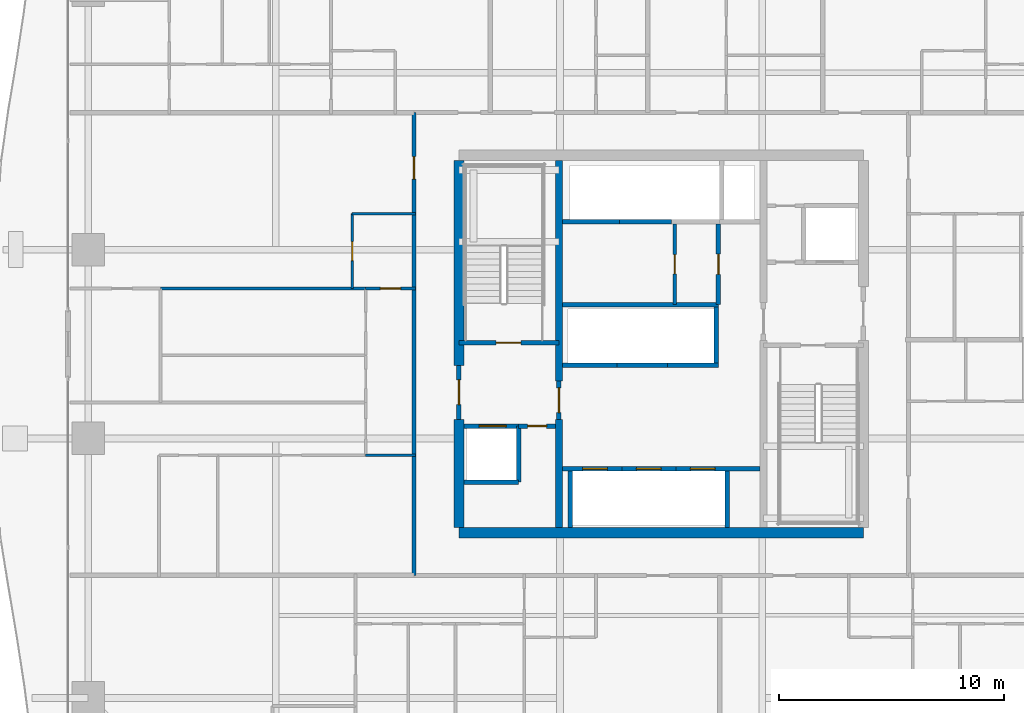
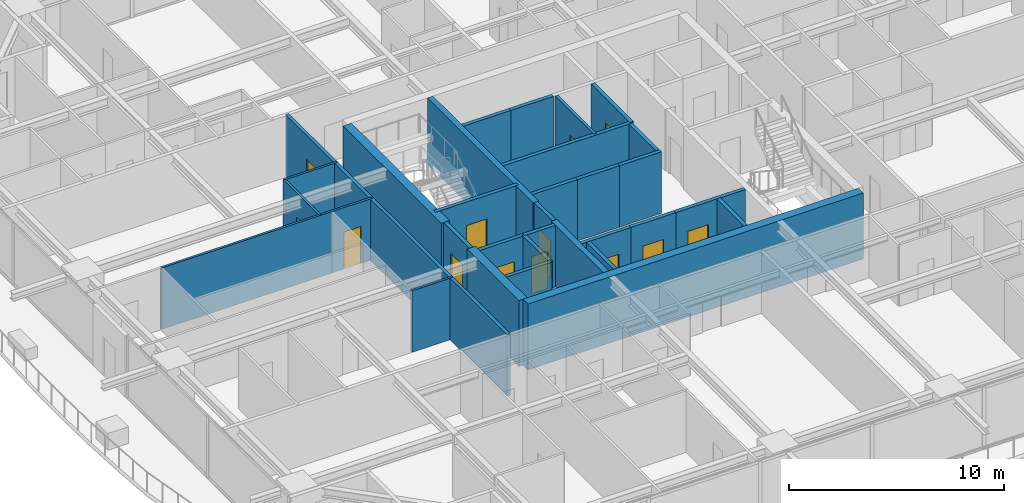
# One storey, part 23 of 34: 32 walls, 13 doors, 13 openings.
"""IFC4 building model written with IfcOpenShell, lengths in metres."""

from ifc_helpers import new_model, si_unit, direction, frame, frame_2d, origin, place, context, subcontext, project, spatial, rectangle, extrude, source, transform, mapped, material, layer, layer_set, type_object, element, fill, save


model = new_model("IFC4")

# Units and contexts
model_context = context("Model", 3, precision=1e-05, world=origin(), true_north=direction((0.0, 1.0)))
body_context = subcontext(model_context, "Body", "Model", "MODEL_VIEW")
ifc_project = project(units=[si_unit("LENGTHUNIT", "METRE"), si_unit("AREAUNIT", "SQUARE_METRE"), si_unit("VOLUMEUNIT", "CUBIC_METRE"), si_unit("PLANEANGLEUNIT", "RADIAN"), si_unit("MASSUNIT", "GRAM", prefix="KILO")], contexts=[model_context])

# Site, building, storey
site_placement = place(None, origin())
site = spatial("IfcSite", under=ifc_project, at=site_placement, CompositionType="ELEMENT")
building_placement = place(site_placement, origin())
building = spatial("IfcBuilding", under=site, at=building_placement, Name="Serunith Strait Residences", CompositionType="ELEMENT")
storey_placement = place(building_placement, frame((0.0, 0.0, 101.699951171875)))
storey = spatial("IfcBuildingStorey", under=building, at=storey_placement, Name="L25", CompositionType="ELEMENT", Elevation=101.699951171875)

# Wall, opening, door
ifc_material_1 = material(Name="Fire-rated masonry service closet wall", Category="masonry")
ifc_layer_1 = layer(ifc_material_1, 0.14990234375, Name="Fire-rated masonry service closet wall")
ifc_layer_set_1 = layer_set([ifc_layer_1], Name="Fire-rated masonry service closet wall")
wall_type_1 = type_object("IfcWallType", Name="IW-BOH-150", PredefinedType="PARTITIONING", material=ifc_layer_set_1)
wall_1_placement = place(storey_placement, frame((33.0, 26.949951171875, 0.0), z_axis=(0.0, 0.0, 1.0), x_axis=(0.0, 1.0, 0.0)))
wall_1 = element("IfcWall", 1, at=wall_1_placement, inside=storey, type_object=wall_type_1, Name="L25 Partition Wall 014", PredefinedType="PARTITIONING", context=body_context, shape_type="SweptSolid", body=[
    extrude(rectangle(XDim=3.60009765625, YDim=0.14990234375, at=frame_2d((1.800048828125, 0.0))), origin(), (0.0, 0.0, 1.0), 3.489990234375),
])
opening_1_placement = place(wall_1_placement, frame((1.375, 0.0, 0.0)))
opening_1 = element("IfcOpeningElement", 2, at=opening_1_placement, cuts=wall_1, Name="Opening FD-850", PredefinedType="OPENING", context=body_context, shape_type="SweptSolid", body=[
    extrude(rectangle(XDim=0.85009765625, YDim=2.10009765625, at=frame_2d((0.425048828125, 1.050048828125))), frame((0.0, 0.0849609375, 0.0), z_axis=(0.0, -1.0, 0.0), x_axis=(1.0, 0.0, 0.0)), (0.0, 0.0, 1.0), 0.169921875),
])
ifc_material_2 = material(Name="Powder-coated steel service closet door", Category="steel")
door_type_1 = type_object("IfcDoorType", Name="FD-BOH-850", OperationType="NOTDEFINED", PredefinedType="DOOR", material=ifc_material_2)
shared_shape_1 = source(origin(), body_context, "Body", "SweptSolid", [
    extrude(rectangle(XDim=0.85009765625, YDim=2.10009765625, at=frame_2d((0.425048828125, 1.050048828125))), frame((0.0, 0.02490234375, 0.0), z_axis=(0.0, -1.0, 0.0), x_axis=(1.0, 0.0, 0.0)), (0.0, 0.0, 1.0), 0.050048828125),
])
door_1_placement = place(opening_1_placement, origin())
door_1 = element("IfcDoor", 3, at=door_1_placement, inside=storey, type_object=door_type_1, Name="L25 LV Switchgear Door", OperationType="SINGLE_SWING_RIGHT", OverallHeight=2.10009765625, OverallWidth=0.85009765625, PredefinedType="DOOR", context=body_context, shape_type="MappedRepresentation", body=[
    mapped(shared_shape_1, transform((0.0, 0.0, 0.0), scale=1.0)),
])
fill(opening_1, door_1)

ifc_material_3 = material(Name="Fire-rated acoustic gypsum partition")
ifc_layer_2 = layer(ifc_material_3, 0.179931640625, Name="Fire-rated acoustic gypsum partition")
ifc_layer_set_2 = layer_set([ifc_layer_2], Name="Fire-rated acoustic gypsum partition")
wall_type_2 = type_object("IfcWallType", Name="IW-CORR-180", PredefinedType="PARTITIONING", material=ifc_layer_set_2)
wall_2_placement = place(storey_placement, frame((21.39990234375, 14.89990234375, 0.0), z_axis=(0.0, 0.0, 1.0), x_axis=(0.0, 1.0, 0.0)))
wall_2 = element("IfcWall", 4, at=wall_2_placement, inside=storey, type_object=wall_type_2, Name="L25 Partition Wall 026", PredefinedType="PARTITIONING", context=body_context, shape_type="SweptSolid", body=[
    extrude(rectangle(XDim=20.60009765625, YDim=0.179931640625, at=frame_2d((10.300048828125, 0.0))), origin(), (0.0, 0.0, 1.0), 3.489990234375),
])
opening_2_placement = place(wall_2_placement, frame((17.639892578125, 0.0, 0.0)))
opening_2 = element("IfcOpeningElement", 5, at=opening_2_placement, cuts=wall_2, Name="Opening D-APT1000", PredefinedType="OPENING", context=body_context, shape_type="SweptSolid", body=[
    extrude(rectangle(XDim=1.0, YDim=2.14990234375, at=frame_2d((0.5, 1.074951171875))), frame((0.0, 0.10009765625, 0.0), z_axis=(0.0, -1.0, 0.0), x_axis=(1.0, 0.0, 0.0)), (0.0, 0.0, 1.0), 0.199951171875),
])
ifc_material_4 = material(Name="Solid timber engineered fire door", Category="wood")
door_type_2 = type_object("IfcDoorType", Name="ID-APT-1000", OperationType="NOTDEFINED", PredefinedType="DOOR", material=ifc_material_4)
shared_shape_2 = source(origin(), body_context, "Body", "SweptSolid", [
    extrude(rectangle(XDim=1.0, YDim=2.14990234375, at=frame_2d((0.5, 1.074951171875))), frame((0.0, 0.02490234375, 0.0), z_axis=(0.0, -1.0, 0.0), x_axis=(1.0, 0.0, 0.0)), (0.0, 0.0, 1.0), 0.050048828125),
])
door_2_placement = place(opening_2_placement, origin())
door_2 = element("IfcDoor", 6, at=door_2_placement, inside=storey, type_object=door_type_2, Name="L25 Unit 07 Entrance Door", OperationType="SINGLE_SWING_LEFT", OverallHeight=2.14990234375, OverallWidth=1.0, PredefinedType="DOOR", context=body_context, shape_type="MappedRepresentation", body=[
    mapped(shared_shape_2, transform((0.0, 0.0, 0.0), scale=1.0)),
])
fill(opening_2, door_2)

ifc_material_5 = material(Name="Lightweight steel-stud gypsum partition", Category="steel")
ifc_layer_3 = layer(ifc_material_5, 0.1201171875, Name="Lightweight steel-stud gypsum partition")
ifc_layer_set_3 = layer_set([ifc_layer_3], Name="Lightweight steel-stud gypsum partition")
wall_type_3 = type_object("IfcWallType", Name="IW-PART-120", PredefinedType="PARTITIONING", material=ifc_layer_set_3)
wall_3_placement = place(storey_placement, frame((18.64990234375, 27.669921875, 0.0), z_axis=(0.0, 0.0, 1.0), x_axis=(0.0, 1.0, 0.0)))
wall_3 = element("IfcWall", 7, at=wall_3_placement, inside=storey, type_object=wall_type_3, Name="L25 Partition Wall 100", PredefinedType="PARTITIONING", context=body_context, shape_type="SweptSolid", body=[
    extrude(rectangle(XDim=3.330078125, YDim=0.1201171875, at=frame_2d((1.6650390625, 0.0))), origin(), (0.0, 0.0, 1.0), 3.489990234375),
])
opening_3_placement = place(wall_3_placement, frame((1.239990234375, 0.0, 0.0)))
opening_3 = element("IfcOpeningElement", 8, at=opening_3_placement, cuts=wall_3, Name="Opening D-RM850", PredefinedType="OPENING", context=body_context, shape_type="SweptSolid", body=[
    extrude(rectangle(XDim=0.85009765625, YDim=2.10009765625, at=frame_2d((0.425048828125, 1.050048828125))), frame((0.0, 0.070068359375, 0.0), z_axis=(0.0, -1.0, 0.0), x_axis=(1.0, 0.0, 0.0)), (0.0, 0.0, 1.0), 0.14013671875),
])
ifc_material_6 = material(Name="Engineered timber flush study and kitchen door", Category="wood")
door_type_3 = type_object("IfcDoorType", Name="ID-ROOM-850", OperationType="NOTDEFINED", PredefinedType="DOOR", material=ifc_material_6)
door_3_placement = place(opening_3_placement, origin())
door_3 = element("IfcDoor", 9, at=door_3_placement, inside=storey, type_object=door_type_3, Name="L25 Kitchen 2507 Door", OperationType="SINGLE_SWING_RIGHT", OverallHeight=2.10009765625, OverallWidth=0.85009765625, PredefinedType="DOOR", context=body_context, shape_type="MappedRepresentation", body=[
    mapped(shared_shape_1, transform((0.0, 0.0, 0.0), scale=1.0)),
])
fill(opening_3, door_3)

# Wall
wall_4_placement = place(storey_placement, frame((18.64990234375, 31.0, 0.0), z_axis=(0.0, 0.0, 1.0), x_axis=(1.0, 0.0, 0.0)))
element("IfcWall", 10, at=wall_4_placement, inside=storey, type_object=wall_type_3, Name="L25 Partition Wall 101", PredefinedType="PARTITIONING", context=body_context, shape_type="SweptSolid", body=[
    extrude(rectangle(XDim=2.81005859375, YDim=0.1201171875, at=frame_2d((1.405029296875, 0.0))), origin(), (0.0, 0.0, 1.0), 3.489990234375),
])

# Wall, opening, door
wall_5_placement = place(storey_placement, frame((19.25, 27.669921875, 0.0), z_axis=(0.0, 0.0, 1.0), x_axis=(1.0, 0.0, 0.0)))
wall_5 = element("IfcWall", 11, at=wall_5_placement, inside=storey, type_object=wall_type_3, Name="L25 Partition Wall 102", PredefinedType="PARTITIONING", context=body_context, shape_type="SweptSolid", body=[
    extrude(rectangle(XDim=2.2099609375, YDim=0.1201171875, at=frame_2d((1.10498046875, 0.0))), origin(), (0.0, 0.0, 1.0), 3.489990234375),
])
opening_4_placement = place(wall_5_placement, frame((0.655029296875, 0.0, 0.0)))
opening_4 = element("IfcOpeningElement", 12, at=opening_4_placement, cuts=wall_5, Name="Opening D-RM900", PredefinedType="OPENING", context=body_context, shape_type="SweptSolid", body=[
    extrude(rectangle(XDim=0.89990234375, YDim=2.10009765625, at=frame_2d((0.449951171875, 1.050048828125))), frame((0.0, 0.070068359375, 0.0), z_axis=(0.0, -1.0, 0.0), x_axis=(1.0, 0.0, 0.0)), (0.0, 0.0, 1.0), 0.14013671875),
])
ifc_material_7 = material(Name="Engineered timber flush bedroom door", Category="wood")
door_type_4 = type_object("IfcDoorType", Name="ID-ROOM-900", OperationType="NOTDEFINED", PredefinedType="DOOR", material=ifc_material_7)
shared_shape_3 = source(origin(), body_context, "Body", "SweptSolid", [
    extrude(rectangle(XDim=0.89990234375, YDim=2.10009765625, at=frame_2d((0.449951171875, 1.050048828125))), frame((0.0, 0.02490234375, 0.0), z_axis=(0.0, -1.0, 0.0), x_axis=(1.0, 0.0, 0.0)), (0.0, 0.0, 1.0), 0.050048828125),
])
door_4_placement = place(opening_4_placement, origin())
door_4 = element("IfcDoor", 13, at=door_4_placement, inside=storey, type_object=door_type_4, Name="L25 Hall W 2507 Door", OperationType="SINGLE_SWING_LEFT", OverallHeight=2.10009765625, OverallWidth=0.89990234375, PredefinedType="DOOR", context=body_context, shape_type="MappedRepresentation", body=[
    mapped(shared_shape_3, transform((0.0, 0.0, 0.0), scale=1.0)),
])
fill(opening_4, door_4)

# Walls
wall_6_placement = place(storey_placement, frame((10.12109375, 27.669921875, 0.0), z_axis=(0.0, 0.0, 1.0), x_axis=(1.0, 0.0, 0.0)))
element("IfcWall", 14, at=wall_6_placement, inside=storey, type_object=wall_type_3, Name="L25 Partition Wall 104", PredefinedType="PARTITIONING", context=body_context, shape_type="SweptSolid", body=[
    extrude(rectangle(XDim=9.126953125, YDim=0.1201171875, at=frame_2d((4.5634765625, 0.0))), origin(), (0.0, 0.0, 1.0), 3.489990234375),
])
wall_7_placement = place(storey_placement, frame((19.251953125, 20.25, 0.0), z_axis=(0.0, 0.0, 1.0), x_axis=(1.0, 0.0, 0.0)))
element("IfcWall", 15, at=wall_7_placement, inside=storey, type_object=wall_type_3, Name="L25 Partition Wall 115", PredefinedType="PARTITIONING", context=body_context, shape_type="SweptSolid", body=[
    extrude(rectangle(XDim=2.2080078125, YDim=0.1201171875, at=frame_2d((1.10400390625, 0.0))), origin(), (0.0, 0.0, 1.0), 3.489990234375),
])

# Wall, opening, door
ifc_material_8 = material(Name="Autoclaved aerated concrete blockwork", Category="masonry")
ifc_layer_4 = layer(ifc_material_8, 0.199951171875, Name="Autoclaved aerated concrete blockwork")
ifc_layer_set_4 = layer_set([ifc_layer_4], Name="Autoclaved aerated concrete blockwork")
wall_type_4 = type_object("IfcWallType", Name="IW-SHAFT-200", PredefinedType="STANDARD", material=ifc_layer_set_4)
wall_8_placement = place(storey_placement, frame((23.39990234375, 25.25, 0.0), z_axis=(0.0, 0.0, 1.0), x_axis=(1.0, 0.0, 0.0)))
wall_8 = element("IfcWall", 16, at=wall_8_placement, inside=storey, type_object=wall_type_4, Name="L25 ST-1 South Shaft Wall", PredefinedType="STANDARD", context=body_context, shape_type="SweptSolid", body=[
    extrude(rectangle(XDim=4.4501953125, YDim=0.199951171875, at=frame_2d((2.22509765625, 0.0))), origin(), (0.0, 0.0, 1.0), 3.489990234375),
])
opening_5_placement = place(wall_8_placement, frame((1.64990234375, 0.0, 0.0)))
opening_5 = element("IfcOpeningElement", 17, at=opening_5_placement, cuts=wall_8, Name="Opening FD-1100", PredefinedType="OPENING", context=body_context, shape_type="SweptSolid", body=[
    extrude(rectangle(XDim=1.10009765625, YDim=2.14990234375, at=frame_2d((0.550048828125, 1.074951171875))), frame((0.0, 0.10986328125, 0.0), z_axis=(0.0, -1.0, 0.0), x_axis=(1.0, 0.0, 0.0)), (0.0, 0.0, 1.0), 0.219970703125),
])
ifc_material_9 = material(Name="Galvanised steel fire door leaf", Category="steel")
door_type_5 = type_object("IfcDoorType", Name="FD-STAIR-1100", OperationType="NOTDEFINED", PredefinedType="DOOR", material=ifc_material_9)
shared_shape_4 = source(origin(), body_context, "Body", "SweptSolid", [
    extrude(rectangle(XDim=1.10009765625, YDim=2.14990234375, at=frame_2d((0.550048828125, 1.074951171875))), frame((0.0, 0.02490234375, 0.0), z_axis=(0.0, -1.0, 0.0), x_axis=(1.0, 0.0, 0.0)), (0.0, 0.0, 1.0), 0.050048828125),
])
door_5_placement = place(opening_5_placement, origin())
door_5 = element("IfcDoor", 18, at=door_5_placement, inside=storey, type_object=door_type_5, Name="L25 ST-1 Escape Stair Door", OperationType="SINGLE_SWING_LEFT", OverallHeight=2.14990234375, OverallWidth=1.10009765625, PredefinedType="DOOR", context=body_context, shape_type="MappedRepresentation", body=[
    mapped(shared_shape_4, transform((0.0, 0.0, 0.0), scale=1.0)),
])
fill(opening_5, door_5)

wall_9_placement = place(storey_placement, frame((23.625, 21.550048828125, 0.0), z_axis=(0.0, 0.0, 1.0), x_axis=(1.0, 0.0, 0.0)))
wall_9 = element("IfcWall", 19, at=wall_9_placement, inside=storey, type_object=wall_type_4, Name="L25 FL-1 North Shaft Wall", PredefinedType="STANDARD", context=body_context, shape_type="SweptSolid", body=[
    extrude(rectangle(XDim=2.425048828125, YDim=0.199951171875, at=frame_2d((1.21240234375, 0.0))), origin(), (0.0, 0.0, 1.0), 3.489990234375),
])
opening_6_placement = place(wall_9_placement, frame((0.675048828125, 0.0, 0.0)))
opening_6 = element("IfcOpeningElement", 20, at=opening_6_placement, cuts=wall_9, Name="Opening LD-FF1200", PredefinedType="OPENING", context=body_context, shape_type="SweptSolid", body=[
    extrude(rectangle(XDim=1.199951171875, YDim=2.199951171875, at=frame_2d((0.60009765625, 1.10009765625))), frame((0.0, 0.10986328125, 0.0), z_axis=(0.0, -1.0, 0.0), x_axis=(1.0, 0.0, 0.0)), (0.0, 0.0, 1.0), 0.219970703125),
])
ifc_material_10 = material(Name="Brushed stainless steel landing door", Category="steel")
door_type_6 = type_object("IfcDoorType", Name="LD-FF-1200", OperationType="DOUBLE_DOOR_SLIDING", PredefinedType="DOOR", material=ifc_material_10)
shared_shape_5 = source(origin(), body_context, "Body", "SweptSolid", [
    extrude(rectangle(XDim=1.199951171875, YDim=2.199951171875, at=frame_2d((0.60009765625, 1.10009765625))), frame((0.0, 0.02490234375, 0.0), z_axis=(0.0, -1.0, 0.0), x_axis=(1.0, 0.0, 0.0)), (0.0, 0.0, 1.0), 0.050048828125),
])
door_6_placement = place(opening_6_placement, origin())
door_6 = element("IfcDoor", 21, at=door_6_placement, inside=storey, type_object=door_type_6, Name="L25 FL-1 Landing Door", OperationType="DOUBLE_DOOR_SLIDING", OverallHeight=2.199951171875, OverallWidth=1.199951171875, PredefinedType="DOOR", context=body_context, shape_type="MappedRepresentation", body=[
    mapped(shared_shape_5, transform((0.0, 0.0, 0.0), scale=1.0)),
])
fill(opening_6, door_6)

wall_10_placement = place(storey_placement, frame((28.0, 19.64990234375, 0.0), z_axis=(0.0, 0.0, 1.0), x_axis=(1.0, 0.0, 0.0)))
wall_10 = element("IfcWall", 22, at=wall_10_placement, inside=storey, type_object=wall_type_4, Name="L25 PL-1 North Shaft Wall", PredefinedType="STANDARD", context=body_context, shape_type="SweptSolid", body=[
    extrude(rectangle(XDim=2.64990234375, YDim=0.199951171875, at=frame_2d((1.324951171875, 0.0))), origin(), (0.0, 0.0, 1.0), 3.489990234375),
])
opening_7_placement = place(wall_10_placement, frame((0.89990234375, 0.0, 0.0)))
opening_7 = element("IfcOpeningElement", 23, at=opening_7_placement, cuts=wall_10, Name="Opening LD-1100", PredefinedType="OPENING", context=body_context, shape_type="SweptSolid", body=[
    extrude(rectangle(XDim=1.10009765625, YDim=2.199951171875, at=frame_2d((0.550048828125, 1.10009765625))), frame((0.0, 0.10986328125, 0.0), z_axis=(0.0, -1.0, 0.0), x_axis=(1.0, 0.0, 0.0)), (0.0, 0.0, 1.0), 0.219970703125),
])
ifc_material_11 = material(Name="Pale-champagne stainless landing door")
door_type_7 = type_object("IfcDoorType", Name="LD-LIFT-1100", OperationType="DOUBLE_DOOR_SLIDING", PredefinedType="DOOR", material=ifc_material_11)
shared_shape_6 = source(origin(), body_context, "Body", "SweptSolid", [
    extrude(rectangle(XDim=1.10009765625, YDim=2.199951171875, at=frame_2d((0.550048828125, 1.10009765625))), frame((0.0, 0.02490234375, 0.0), z_axis=(0.0, -1.0, 0.0), x_axis=(1.0, 0.0, 0.0)), (0.0, 0.0, 1.0), 0.050048828125),
])
door_7_placement = place(opening_7_placement, origin())
door_7 = element("IfcDoor", 24, at=door_7_placement, inside=storey, type_object=door_type_7, Name="L25 PL-1 Landing Door", OperationType="DOUBLE_DOOR_SLIDING", OverallHeight=2.199951171875, OverallWidth=1.10009765625, PredefinedType="DOOR", context=body_context, shape_type="MappedRepresentation", body=[
    mapped(shared_shape_6, transform((0.0, 0.0, 0.0), scale=1.0)),
])
fill(opening_7, door_7)

# Wall
wall_11_placement = place(storey_placement, frame((28.35009765625, 17.02490234375, 0.0), z_axis=(0.0, 0.0, 1.0), x_axis=(0.0, 1.0, 0.0)))
element("IfcWall", 25, at=wall_11_placement, inside=storey, type_object=wall_type_4, Name="L25 PL-1 West Shaft Wall", PredefinedType="STANDARD", context=body_context, shape_type="SweptSolid", body=[
    extrude(rectangle(XDim=2.525146484375, YDim=0.199951171875, at=frame_2d((1.2626953125, 0.0))), origin(), (0.0, 0.0, 1.0), 3.489990234375),
])

# Wall, opening, door
wall_12_placement = place(storey_placement, frame((30.64990234375, 19.64990234375, 0.0), z_axis=(0.0, 0.0, 1.0), x_axis=(1.0, 0.0, 0.0)))
wall_12 = element("IfcWall", 26, at=wall_12_placement, inside=storey, type_object=wall_type_4, Name="L25 PL-2 North Shaft Wall", PredefinedType="STANDARD", context=body_context, shape_type="SweptSolid", body=[
    extrude(rectangle(XDim=2.400146484375, YDim=0.199951171875, at=frame_2d((1.2001953125, 0.0))), origin(), (0.0, 0.0, 1.0), 3.489990234375),
])
opening_8_placement = place(wall_12_placement, frame((0.64990234375, 0.0, 0.0)))
opening_8 = element("IfcOpeningElement", 27, at=opening_8_placement, cuts=wall_12, Name="Opening LD-1100", PredefinedType="OPENING", context=body_context, shape_type="SweptSolid", body=[
    extrude(rectangle(XDim=1.10009765625, YDim=2.199951171875, at=frame_2d((0.550048828125, 1.10009765625))), frame((0.0, 0.10986328125, 0.0), z_axis=(0.0, -1.0, 0.0), x_axis=(1.0, 0.0, 0.0)), (0.0, 0.0, 1.0), 0.219970703125),
])
door_8_placement = place(opening_8_placement, origin())
door_8 = element("IfcDoor", 28, at=door_8_placement, inside=storey, type_object=door_type_7, Name="L25 PL-2 Landing Door", OperationType="DOUBLE_DOOR_SLIDING", OverallHeight=2.199951171875, OverallWidth=1.10009765625, PredefinedType="DOOR", context=body_context, shape_type="MappedRepresentation", body=[
    mapped(shared_shape_6, transform((0.0, 0.0, 0.0), scale=1.0)),
])
fill(opening_8, door_8)

wall_13_placement = place(storey_placement, frame((33.050048828125, 19.64990234375, 0.0), z_axis=(0.0, 0.0, 1.0), x_axis=(1.0, 0.0, 0.0)))
wall_13 = element("IfcWall", 29, at=wall_13_placement, inside=storey, type_object=wall_type_4, Name="L25 PL-3 North Shaft Wall", PredefinedType="STANDARD", context=body_context, shape_type="SweptSolid", body=[
    extrude(rectangle(XDim=3.75, YDim=0.199951171875, at=frame_2d((1.875, 0.0))), origin(), (0.0, 0.0, 1.0), 3.489990234375),
])
opening_9_placement = place(wall_13_placement, frame((0.64990234375, 0.0, 0.0)))
opening_9 = element("IfcOpeningElement", 30, at=opening_9_placement, cuts=wall_13, Name="Opening LD-1100", PredefinedType="OPENING", context=body_context, shape_type="SweptSolid", body=[
    extrude(rectangle(XDim=1.10009765625, YDim=2.199951171875, at=frame_2d((0.550048828125, 1.10009765625))), frame((0.0, 0.10986328125, 0.0), z_axis=(0.0, -1.0, 0.0), x_axis=(1.0, 0.0, 0.0)), (0.0, 0.0, 1.0), 0.219970703125),
])
door_9_placement = place(opening_9_placement, origin())
door_9 = element("IfcDoor", 31, at=door_9_placement, inside=storey, type_object=door_type_7, Name="L25 PL-3 Landing Door", OperationType="DOUBLE_DOOR_SLIDING", OverallHeight=2.199951171875, OverallWidth=1.10009765625, PredefinedType="DOOR", context=body_context, shape_type="MappedRepresentation", body=[
    mapped(shared_shape_6, transform((0.0, 0.0, 0.0), scale=1.0)),
])
fill(opening_9, door_9)

# Walls
wall_14_placement = place(storey_placement, frame((35.35009765625, 17.02490234375, 0.0), z_axis=(0.0, 0.0, 1.0), x_axis=(0.0, 1.0, 0.0)))
element("IfcWall", 32, at=wall_14_placement, inside=storey, type_object=wall_type_4, Name="L25 PL-3 East Shaft Wall", PredefinedType="STANDARD", context=body_context, shape_type="SweptSolid", body=[
    extrude(rectangle(XDim=2.525146484375, YDim=0.199951171875, at=frame_2d((1.2626953125, 0.0))), origin(), (0.0, 0.0, 1.0), 3.489990234375),
])
wall_15_placement = place(storey_placement, frame((28.0, 24.25, 0.0), z_axis=(0.0, 0.0, 1.0), x_axis=(1.0, 0.0, 0.0)))
element("IfcWall", 33, at=wall_15_placement, inside=storey, type_object=wall_type_4, Name="L25 PL-4 South Shaft Wall", PredefinedType="STANDARD", context=body_context, shape_type="SweptSolid", body=[
    extrude(rectangle(XDim=2.425048828125, YDim=0.199951171875, at=frame_2d((1.21240234375, 0.0))), origin(), (0.0, 0.0, 1.0), 3.489990234375),
])
wall_16_placement = place(storey_placement, frame((30.425048828125, 24.25, 0.0), z_axis=(0.0, 0.0, 1.0), x_axis=(1.0, 0.0, 0.0)))
element("IfcWall", 34, at=wall_16_placement, inside=storey, type_object=wall_type_4, Name="L25 PL-5 South Shaft Wall", PredefinedType="STANDARD", context=body_context, shape_type="SweptSolid", body=[
    extrude(rectangle(XDim=2.25, YDim=0.199951171875, at=frame_2d((1.125, 0.0))), origin(), (0.0, 0.0, 1.0), 3.489990234375),
])
wall_17_placement = place(storey_placement, frame((32.675048828125, 24.25, 0.0), z_axis=(0.0, 0.0, 1.0), x_axis=(1.0, 0.0, 0.0)))
element("IfcWall", 35, at=wall_17_placement, inside=storey, type_object=wall_type_4, Name="L25 PL-6 South Shaft Wall", PredefinedType="STANDARD", context=body_context, shape_type="SweptSolid", body=[
    extrude(rectangle(XDim=2.27490234375, YDim=0.199951171875, at=frame_2d((1.137451171875, 0.0))), origin(), (0.0, 0.0, 1.0), 3.489990234375),
])
wall_18_placement = place(storey_placement, frame((34.85009765625, 24.35009765625, 0.0), z_axis=(0.0, 0.0, 1.0), x_axis=(0.0, 1.0, 0.0)))
element("IfcWall", 36, at=wall_18_placement, inside=storey, type_object=wall_type_4, Name="L25 PL-6 East Shaft Wall", PredefinedType="STANDARD", context=body_context, shape_type="SweptSolid", body=[
    extrude(rectangle(XDim=2.5, YDim=0.199951171875, at=frame_2d((1.25, 0.0))), origin(), (0.0, 0.0, 1.0), 3.489990234375),
])
wall_19_placement = place(storey_placement, frame((28.0, 30.64990234375, 0.0), z_axis=(0.0, 0.0, 1.0), x_axis=(1.0, 0.0, 0.0)))
element("IfcWall", 37, at=wall_19_placement, inside=storey, type_object=wall_type_4, Name="L25 PL-7 South Shaft Wall", PredefinedType="STANDARD", context=body_context, shape_type="SweptSolid", body=[
    extrude(rectangle(XDim=2.550048828125, YDim=0.199951171875, at=frame_2d((1.27490234375, 0.0))), origin(), (0.0, 0.0, 1.0), 3.489990234375),
])
wall_20_placement = place(storey_placement, frame((30.550048828125, 30.64990234375, 0.0), z_axis=(0.0, 0.0, 1.0), x_axis=(1.0, 0.0, 0.0)))
element("IfcWall", 38, at=wall_20_placement, inside=storey, type_object=wall_type_4, Name="L25 PL-8 South Shaft Wall", PredefinedType="STANDARD", context=body_context, shape_type="SweptSolid", body=[
    extrude(rectangle(XDim=2.300048828125, YDim=0.199951171875, at=frame_2d((1.14990234375, 0.0))), origin(), (0.0, 0.0, 1.0), 3.489990234375),
])
wall_21_placement = place(storey_placement, frame((26.050048828125, 19.050048828125, 0.0), z_axis=(0.0, 0.0, 1.0), x_axis=(0.0, 1.0, 0.0)))
element("IfcWall", 39, at=wall_21_placement, inside=storey, type_object=wall_type_4, Name="L25 Partition Wall 001", PredefinedType="STANDARD", context=body_context, shape_type="SweptSolid", body=[
    extrude(rectangle(XDim=2.5, YDim=0.199951171875, at=frame_2d((1.25, 0.0))), origin(), (0.0, 0.0, 1.0), 3.489990234375),
])
wall_22_placement = place(storey_placement, frame((23.625, 19.050048828125, 0.0), z_axis=(0.0, 0.0, 1.0), x_axis=(1.0, 0.0, 0.0)))
element("IfcWall", 40, at=wall_22_placement, inside=storey, type_object=wall_type_4, Name="L25 Partition Wall 002", PredefinedType="STANDARD", context=body_context, shape_type="SweptSolid", body=[
    extrude(rectangle(XDim=2.425048828125, YDim=0.199951171875, at=frame_2d((1.21240234375, 0.0))), origin(), (0.0, 0.0, 1.0), 3.489990234375),
])

# Wall, opening, door
wall_23_placement = place(storey_placement, frame((26.052001953125, 21.550048828125, 0.0), z_axis=(0.0, 0.0, 1.0), x_axis=(1.0, 0.0, 0.0)))
wall_23 = element("IfcWall", 41, at=wall_23_placement, inside=storey, type_object=wall_type_4, Name="L25 Partition Wall 003", PredefinedType="STANDARD", context=body_context, shape_type="SweptSolid", body=[
    extrude(rectangle(XDim=1.64794921875, YDim=0.199951171875, at=frame_2d((0.823974609375, 0.0))), origin(), (0.0, 0.0, 1.0), 3.489990234375),
])
opening_10_placement = place(wall_23_placement, frame((0.39892578125, 0.0, 0.0)))
opening_10 = element("IfcOpeningElement", 42, at=opening_10_placement, cuts=wall_23, Name="Opening FD-850", PredefinedType="OPENING", context=body_context, shape_type="SweptSolid", body=[
    extrude(rectangle(XDim=0.85009765625, YDim=2.10009765625, at=frame_2d((0.425048828125, 1.050048828125))), frame((0.0, 0.10986328125, 0.0), z_axis=(0.0, -1.0, 0.0), x_axis=(1.0, 0.0, 0.0)), (0.0, 0.0, 1.0), 0.219970703125),
])
door_10_placement = place(opening_10_placement, origin())
door_10 = element("IfcDoor", 43, at=door_10_placement, inside=storey, type_object=door_type_1, Name="L25 South-West Core Service Door", OperationType="SINGLE_SWING_RIGHT", OverallHeight=2.10009765625, OverallWidth=0.85009765625, PredefinedType="DOOR", context=body_context, shape_type="MappedRepresentation", body=[
    mapped(shared_shape_1, transform((0.0, 0.0, 0.0), scale=1.0)),
])
fill(opening_10, door_10)

wall_24_placement = place(storey_placement, frame((23.39990234375, 21.85205078125, 0.0), z_axis=(0.0, 0.0, 1.0), x_axis=(0.0, 1.0, 0.0)))
wall_24 = element("IfcWall", 44, at=wall_24_placement, inside=storey, type_object=wall_type_4, Name="L25 Partition Wall 007", PredefinedType="STANDARD", context=body_context, shape_type="SweptSolid", body=[
    extrude(rectangle(XDim=2.39599609375, YDim=0.199951171875, at=frame_2d((1.197998046875, 0.0))), origin(), (0.0, 0.0, 1.0), 3.489990234375),
])
opening_11_placement = place(wall_24_placement, frame((0.64794921875, 0.0, 0.0)))
opening_11 = element("IfcOpeningElement", 45, at=opening_11_placement, cuts=wall_24, Name="Opening FD-FFL", PredefinedType="OPENING", context=body_context, shape_type="SweptSolid", body=[
    extrude(rectangle(XDim=1.10009765625, YDim=2.14990234375, at=frame_2d((0.550048828125, 1.074951171875))), frame((0.0, 0.10986328125, 0.0), z_axis=(0.0, -1.0, 0.0), x_axis=(1.0, 0.0, 0.0)), (0.0, 0.0, 1.0), 0.219970703125),
])
ifc_material_12 = material(Name="Glazed steel smoke-lobby fire door", Category="steel")
door_type_8 = type_object("IfcDoorType", Name="FD-FFL-1100", OperationType="NOTDEFINED", PredefinedType="DOOR", material=ifc_material_12)
door_11_placement = place(opening_11_placement, origin())
door_11 = element("IfcDoor", 46, at=door_11_placement, inside=storey, type_object=door_type_8, Name="L25 FFL-1 Corridor Fire Door", OperationType="SINGLE_SWING_RIGHT", OverallHeight=2.14990234375, OverallWidth=1.10009765625, PredefinedType="DOOR", context=body_context, shape_type="MappedRepresentation", body=[
    mapped(shared_shape_4, transform((0.0, 0.0, 0.0), scale=1.0)),
])
fill(opening_11, door_11)

wall_25_placement = place(storey_placement, frame((27.85009765625, 21.85205078125, 0.0), z_axis=(0.0, 0.0, 1.0), x_axis=(0.0, 1.0, 0.0)))
wall_25 = element("IfcWall", 47, at=wall_25_placement, inside=storey, type_object=wall_type_4, Name="L25 Partition Wall 009", PredefinedType="STANDARD", context=body_context, shape_type="SweptSolid", body=[
    extrude(rectangle(XDim=1.696044921875, YDim=0.199951171875, at=frame_2d((0.84814453125, 0.0))), origin(), (0.0, 0.0, 1.0), 3.489990234375),
])
opening_12_placement = place(wall_25_placement, frame((0.298095703125, 0.0, 0.0)))
opening_12 = element("IfcOpeningElement", 48, at=opening_12_placement, cuts=wall_25, Name="Opening FD-FFL", PredefinedType="OPENING", context=body_context, shape_type="SweptSolid", body=[
    extrude(rectangle(XDim=1.10009765625, YDim=2.14990234375, at=frame_2d((0.550048828125, 1.074951171875))), frame((0.0, 0.10986328125, 0.0), z_axis=(0.0, -1.0, 0.0), x_axis=(1.0, 0.0, 0.0)), (0.0, 0.0, 1.0), 0.219970703125),
])
door_12_placement = place(opening_12_placement, origin())
door_12 = element("IfcDoor", 49, at=door_12_placement, inside=storey, type_object=door_type_8, Name="L25 FFL-1 Lift Lobby Door", OperationType="SINGLE_SWING_RIGHT", OverallHeight=2.14990234375, OverallWidth=1.10009765625, PredefinedType="DOOR", context=body_context, shape_type="MappedRepresentation", body=[
    mapped(shared_shape_4, transform((0.0, 0.0, 0.0), scale=1.0)),
])
fill(opening_12, door_12)

# Wall
wall_26_placement = place(storey_placement, frame((28.0, 26.949951171875, 0.0), z_axis=(0.0, 0.0, 1.0), x_axis=(1.0, 0.0, 0.0)))
element("IfcWall", 50, at=wall_26_placement, inside=storey, type_object=wall_type_4, Name="L25 Partition Wall 011", PredefinedType="STANDARD", context=body_context, shape_type="SweptSolid", body=[
    extrude(rectangle(XDim=6.949951171875, YDim=0.199951171875, at=frame_2d((3.47509765625, 0.0))), origin(), (0.0, 0.0, 1.0), 3.489990234375),
])

# Wall, opening, door
wall_27_placement = place(storey_placement, frame((34.949951171875, 26.949951171875, 0.0), z_axis=(0.0, 0.0, 1.0), x_axis=(0.0, 1.0, 0.0)))
wall_27 = element("IfcWall", 51, at=wall_27_placement, inside=storey, type_object=wall_type_4, Name="L25 Partition Wall 013", PredefinedType="STANDARD", context=body_context, shape_type="SweptSolid", body=[
    extrude(rectangle(XDim=3.60009765625, YDim=0.199951171875, at=frame_2d((1.800048828125, 0.0))), origin(), (0.0, 0.0, 1.0), 3.489990234375),
])
opening_13_placement = place(wall_27_placement, frame((1.35009765625, 0.0, 0.0)))
opening_13 = element("IfcOpeningElement", 52, at=opening_13_placement, cuts=wall_27, Name="Opening FD-900", PredefinedType="OPENING", context=body_context, shape_type="SweptSolid", body=[
    extrude(rectangle(XDim=0.89990234375, YDim=2.10009765625, at=frame_2d((0.449951171875, 1.050048828125))), frame((0.0, 0.10986328125, 0.0), z_axis=(0.0, -1.0, 0.0), x_axis=(1.0, 0.0, 0.0)), (0.0, 0.0, 1.0), 0.219970703125),
])
ifc_material_13 = material(Name="Powder-coated steel riser door", Category="steel")
door_type_9 = type_object("IfcDoorType", Name="FD-BOH-900", OperationType="NOTDEFINED", PredefinedType="DOOR", material=ifc_material_13)
door_13_placement = place(opening_13_placement, origin())
door_13 = element("IfcDoor", 53, at=door_13_placement, inside=storey, type_object=door_type_9, Name="L25 Meter Plant Door", OperationType="SINGLE_SWING_LEFT", OverallHeight=2.10009765625, OverallWidth=0.89990234375, PredefinedType="DOOR", context=body_context, shape_type="MappedRepresentation", body=[
    mapped(shared_shape_3, transform((0.0, 0.0, 0.0), scale=1.0)),
])
fill(opening_13, door_13)

# Walls
ifc_material_14 = material(Name="Concrete C80/95", Category="concrete")
ifc_layer_5 = layer(ifc_material_14, 0.300048828125, Name="Concrete C80/95")
ifc_layer_set_5 = layer_set([ifc_layer_5], Name="Concrete C80/95")
wall_type_5 = type_object("IfcWallType", Name="SW-300-C80", PredefinedType="SHEAR", material=ifc_layer_set_5)
wall_28_placement = place(storey_placement, frame((27.85009765625, 17.02490234375, -0.260009765625), z_axis=(0.0, 0.0, 1.0), x_axis=(0.0, 1.0, 0.0)))
element("IfcWall", 54, at=wall_28_placement, inside=storey, type_object=wall_type_5, Name="L25 Core Internal West Web South Pier", PredefinedType="SHEAR", context=body_context, shape_type="SweptSolid", body=[
    extrude(rectangle(XDim=4.8251953125, YDim=0.300048828125, at=frame_2d((2.41259765625, 0.0))), origin(), (0.0, 0.0, 1.0), 3.748046875),
])
wall_29_placement = place(storey_placement, frame((27.85009765625, 23.550048828125, -0.260009765625), z_axis=(0.0, 0.0, 1.0), x_axis=(0.0, 1.0, 0.0)))
element("IfcWall", 55, at=wall_29_placement, inside=storey, type_object=wall_type_5, Name="L25 Core Internal West Web North Pier", PredefinedType="SHEAR", context=body_context, shape_type="SweptSolid", body=[
    extrude(rectangle(XDim=9.824951171875, YDim=0.300048828125, at=frame_2d((4.91259765625, 0.0))), origin(), (0.0, 0.0, 1.0), 3.748046875),
])
ifc_layer_6 = layer(ifc_material_14, 0.449951171875, Name="Concrete C80/95")
ifc_layer_set_6 = layer_set([ifc_layer_6], Name="Concrete C80/95")
wall_type_6 = type_object("IfcWallType", Name="SW-450-C80", PredefinedType="SHEAR", material=ifc_layer_set_6)
wall_30_placement = place(storey_placement, frame((23.39990234375, 16.800048828125, -0.260009765625), z_axis=(0.0, 0.0, 1.0), x_axis=(1.0, 0.0, 0.0)))
element("IfcWall", 56, at=wall_30_placement, inside=storey, type_object=wall_type_6, Name="L25 Core South Shear Wall", PredefinedType="SHEAR", context=body_context, shape_type="SweptSolid", body=[
    extrude(rectangle(XDim=18.0, YDim=0.449951171875, at=frame_2d((9.0, 0.0))), origin(), (0.0, 0.0, 1.0), 3.748046875),
])
wall_31_placement = place(storey_placement, frame((23.39990234375, 17.02490234375, -0.260009765625), z_axis=(0.0, 0.0, 1.0), x_axis=(0.0, 1.0, 0.0)))
element("IfcWall", 57, at=wall_31_placement, inside=storey, type_object=wall_type_6, Name="L25 Core West Shear Wall South Pier", PredefinedType="SHEAR", context=body_context, shape_type="SweptSolid", body=[
    extrude(rectangle(XDim=4.8251953125, YDim=0.449951171875, at=frame_2d((2.41259765625, 0.0))), origin(), (0.0, 0.0, 1.0), 3.748046875),
])
wall_32_placement = place(storey_placement, frame((23.39990234375, 24.25, -0.260009765625), z_axis=(0.0, 0.0, 1.0), x_axis=(0.0, 1.0, 0.0)))
element("IfcWall", 58, at=wall_32_placement, inside=storey, type_object=wall_type_6, Name="L25 Core West Shear Wall North Pier", PredefinedType="SHEAR", context=body_context, shape_type="SweptSolid", body=[
    extrude(rectangle(XDim=9.125, YDim=0.449951171875, at=frame_2d((4.5625, 0.0))), origin(), (0.0, 0.0, 1.0), 3.748046875),
])

save(model, "model.ifc")
